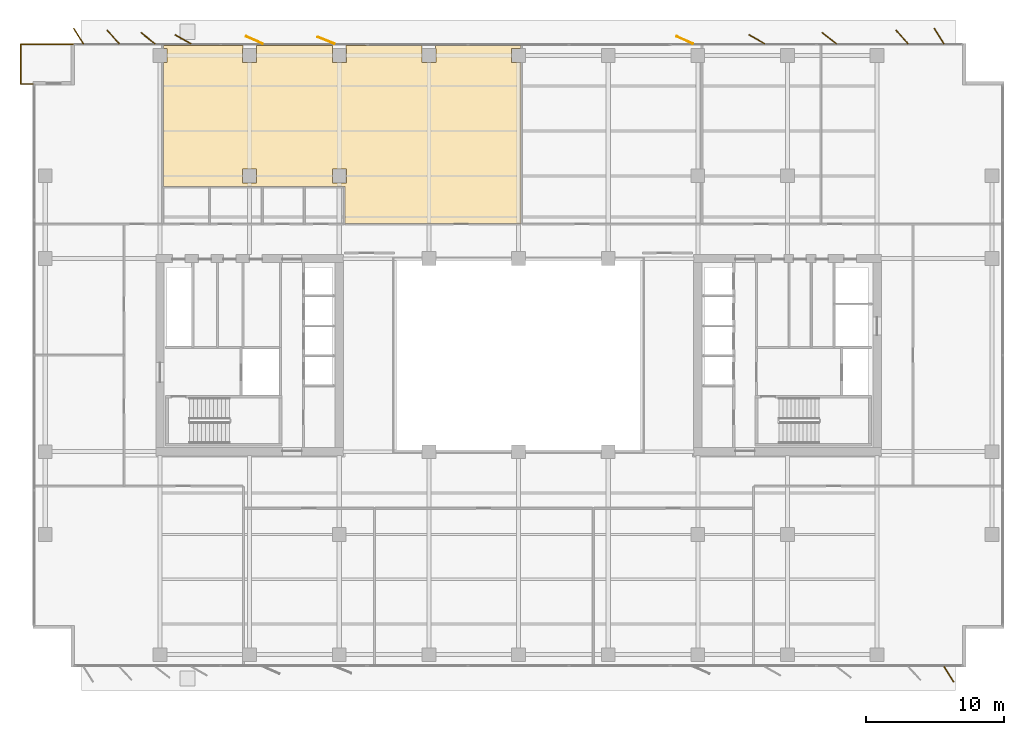
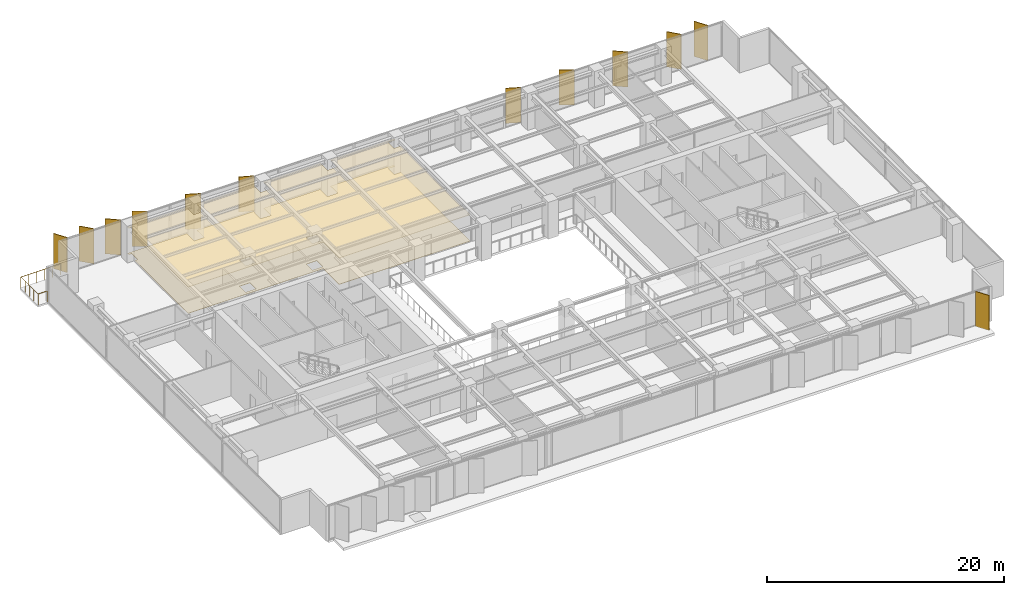
# One storey, part 22 of 22: 12 shading devices, 2 coverings, 1 railing.
"""IFC4 building model written with IfcOpenShell, lengths in metres."""

from ifc_helpers import new_model, si_unit, direction, frame, origin, origin_2d, place, context, subcontext, project, spatial, polyline, rectangle, circle, outline, extrude, material, layer, layer_set, type_object, element, save


model = new_model("IFC4")

# Units and contexts
model_context = context("Model", 3, precision=1e-05, world=origin(), true_north=direction((0.0, 1.0)))
body_context = subcontext(model_context, "Body", "Model", "MODEL_VIEW")
ifc_project = project(units=[si_unit("LENGTHUNIT", "METRE"), si_unit("AREAUNIT", "SQUARE_METRE"), si_unit("VOLUMEUNIT", "CUBIC_METRE"), si_unit("PLANEANGLEUNIT", "RADIAN"), si_unit("MASSUNIT", "GRAM", prefix="KILO")], contexts=[model_context])

# Site, building, storey
site_placement = place(None, origin())
site = spatial("IfcSite", under=ifc_project, at=site_placement, CompositionType="ELEMENT")
building_placement = place(site_placement, origin())
building = spatial("IfcBuilding", under=site, at=building_placement, Name="Putna Gate Headquarters", CompositionType="ELEMENT")
storey_placement = place(building_placement, frame((0.0, 0.0, 144.199951171875)))
storey = spatial("IfcBuildingStorey", under=building, at=storey_placement, Name="L35", CompositionType="ELEMENT", Elevation=144.199951171875)

# Coverings
ifc_material_1 = material(Name="Perforated mineral-fibre acoustic ceiling tile")
ifc_layer_1 = layer(ifc_material_1, 0.0400390625)
ifc_layer_set_1 = layer_set([ifc_layer_1], Name="Perforated mineral-fibre acoustic ceiling tile")
covering_type_1 = type_object("IfcCoveringType", Name="COV-ACOUSTIC-CEILING", PredefinedType="CEILING", material=ifc_layer_set_1)
covering_1_placement = place(storey_placement, frame((0.0, 0.0, 2.7099609375)))
element("IfcCovering", 1, at=covering_1_placement, inside=storey, type_object=covering_type_1, Name="L35 Acoustic Ceiling Covering 2", PredefinedType="CEILING", context=body_context, shape_type="SweptSolid", body=[
    extrude(outline(polyline([(13.239990234375, 48.22802734375), (13.508056640625, 48.22802734375), (13.508056640625, 47.2119140625), (13.239990234375, 47.2119140625), (13.239990234375, 38.219970703125), (26.39990234375, 38.219970703125), (26.39990234375, 35.5400390625), (39.159912109375, 35.5400390625), (39.159912109375, 47.2119140625), (38.491943359375, 47.2119140625), (38.491943359375, 48.22802734375), (39.159912109375, 48.22802734375), (39.159912109375, 48.43994140625), (32.988037109375, 48.43994140625), (32.988037109375, 48.22802734375), (33.008056640625, 48.22802734375), (33.008056640625, 47.2119140625), (31.991943359375, 47.2119140625), (31.991943359375, 48.22802734375), (32.011962890625, 48.22802734375), (32.011962890625, 48.43994140625), (26.488037109375, 48.43994140625), (26.488037109375, 48.22802734375), (26.508056640625, 48.22802734375), (26.508056640625, 47.2119140625), (25.491943359375, 47.2119140625), (25.491943359375, 48.22802734375), (25.511962890625, 48.22802734375), (25.511962890625, 48.43994140625), (19.988037109375, 48.43994140625), (19.988037109375, 48.22802734375), (20.008056640625, 48.22802734375), (20.008056640625, 47.2119140625), (18.991943359375, 47.2119140625), (18.991943359375, 48.22802734375), (19.011962890625, 48.22802734375), (19.011962890625, 48.43994140625), (13.239990234375, 48.43994140625), (13.239990234375, 48.22802734375)]), holes=[polyline([(20.008056640625, 38.491943359375), (20.008056640625, 39.508056640625), (18.991943359375, 39.508056640625), (18.991943359375, 38.491943359375), (20.008056640625, 38.491943359375)]), polyline([(26.508056640625, 38.491943359375), (26.508056640625, 39.508056640625), (25.491943359375, 39.508056640625), (25.491943359375, 38.491943359375), (26.508056640625, 38.491943359375)])]), origin(), (0.0, 0.0, 1.0), 0.0400390625),
])
ifc_material_2 = material(Name="Calcium-sulphate raised access floor finish")
ifc_layer_2 = layer(ifc_material_2, 0.030029296875)
ifc_layer_set_2 = layer_set([ifc_layer_2], Name="Calcium-sulphate raised access floor finish")
covering_type_2 = type_object("IfcCoveringType", Name="COV-RAISED-FLOORING", PredefinedType="FLOORING", material=ifc_layer_set_2)
covering_2_placement = place(storey_placement, origin())
element("IfcCovering", 2, at=covering_2_placement, inside=storey, type_object=covering_type_2, Name="L35 Raised Access Floor Covering 2", PredefinedType="FLOORING", context=body_context, shape_type="SweptSolid", body=[
    extrude(outline(polyline([(13.239990234375, 48.22802734375), (13.508056640625, 48.22802734375), (13.508056640625, 47.2119140625), (13.239990234375, 47.2119140625), (13.239990234375, 38.219970703125), (26.39990234375, 38.219970703125), (26.39990234375, 35.5400390625), (39.159912109375, 35.5400390625), (39.159912109375, 47.2119140625), (38.491943359375, 47.2119140625), (38.491943359375, 48.22802734375), (39.159912109375, 48.22802734375), (39.159912109375, 48.43994140625), (32.988037109375, 48.43994140625), (32.988037109375, 48.22802734375), (33.008056640625, 48.22802734375), (33.008056640625, 47.2119140625), (31.991943359375, 47.2119140625), (31.991943359375, 48.22802734375), (32.011962890625, 48.22802734375), (32.011962890625, 48.43994140625), (26.488037109375, 48.43994140625), (26.488037109375, 48.22802734375), (26.508056640625, 48.22802734375), (26.508056640625, 47.2119140625), (25.491943359375, 47.2119140625), (25.491943359375, 48.22802734375), (25.511962890625, 48.22802734375), (25.511962890625, 48.43994140625), (19.988037109375, 48.43994140625), (19.988037109375, 48.22802734375), (20.008056640625, 48.22802734375), (20.008056640625, 47.2119140625), (18.991943359375, 47.2119140625), (18.991943359375, 48.22802734375), (19.011962890625, 48.22802734375), (19.011962890625, 48.43994140625), (13.239990234375, 48.43994140625), (13.239990234375, 48.22802734375)]), holes=[polyline([(20.008056640625, 38.491943359375), (20.008056640625, 39.508056640625), (18.991943359375, 39.508056640625), (18.991943359375, 38.491943359375), (20.008056640625, 38.491943359375)]), polyline([(26.508056640625, 38.491943359375), (26.508056640625, 39.508056640625), (25.491943359375, 39.508056640625), (25.491943359375, 38.491943359375), (26.508056640625, 38.491943359375)])]), origin(), (0.0, 0.0, 1.0), 0.030029296875),
])

# Railing
ifc_material_3 = material(Name="Anodised bronze steel and laminated glass guardrail", Category="steel")
railing_type = type_object("IfcRailingType", Name="RAIL-TERR-GUARD-1150", PredefinedType="GUARDRAIL", material=ifc_material_3)
railing_placement = place(storey_placement, frame((3.800048828125, 45.659912109375, 0.0)))
element("IfcRailing", 3, at=railing_placement, inside=storey, type_object=railing_type, Name="L35 Spiral Sky Terrace Guardrail NW", PredefinedType="GUARDRAIL", context=body_context, shape_type="SweptSolid", body=[
    extrude(circle(Radius=0.02392578125, at=origin_2d()), frame((0.0, 0.0, 1.1259765625), z_axis=(-1.0, 0.0, 0.0), x_axis=(0.0, -1.0, 0.0)), (0.0, 0.0, 1.0), 0.89013671875),
    extrude(circle(Radius=0.02392578125, at=origin_2d()), frame((-0.89013671875, 0.0, 1.1259765625), z_axis=(0.0, 1.0, 0.0), x_axis=(-1.0, 0.0, 0.0)), (0.0, 0.0, 1.0), 2.880126953125),
    extrude(circle(Radius=0.02392578125, at=origin_2d()), frame((-0.89013671875, 2.880126953125, 1.1259765625), z_axis=(1.0, 0.0, 0.0), x_axis=(0.0, 1.0, 0.0)), (0.0, 0.0, 1.0), 3.89013671875),
    extrude(circle(Radius=0.02099609375, at=origin_2d()), origin(), (0.0, 0.0, 1.0), 1.101806640625),
    extrude(circle(Radius=0.02099609375, at=origin_2d()), frame((-0.89013671875, 0.0, 0.0)), (0.0, 0.0, 1.0), 1.101806640625),
    extrude(circle(Radius=0.02099609375, at=origin_2d()), frame((-0.89013671875, 0.719970703125, 0.0)), (0.0, 0.0, 1.0), 1.101806640625),
    extrude(circle(Radius=0.02099609375, at=origin_2d()), frame((-0.89013671875, 1.43994140625, 0.0)), (0.0, 0.0, 1.0), 1.101806640625),
    extrude(circle(Radius=0.02099609375, at=origin_2d()), frame((-0.89013671875, 2.16015625, 0.0)), (0.0, 0.0, 1.0), 1.101806640625),
    extrude(circle(Radius=0.02099609375, at=origin_2d()), frame((-0.89013671875, 2.880126953125, 0.0)), (0.0, 0.0, 1.0), 1.101806640625),
    extrude(circle(Radius=0.02099609375, at=origin_2d()), frame((-0.112060546875, 2.880126953125, 0.0)), (0.0, 0.0, 1.0), 1.101806640625),
    extrude(circle(Radius=0.02099609375, at=origin_2d()), frame((0.666015625, 2.880126953125, 0.0)), (0.0, 0.0, 1.0), 1.101806640625),
    extrude(circle(Radius=0.02099609375, at=origin_2d()), frame((1.44384765625, 2.880126953125, 0.0)), (0.0, 0.0, 1.0), 1.101806640625),
    extrude(circle(Radius=0.02099609375, at=origin_2d()), frame((2.221923828125, 2.880126953125, 0.0)), (0.0, 0.0, 1.0), 1.101806640625),
    extrude(circle(Radius=0.02099609375, at=origin_2d()), frame((3.0, 2.880126953125, 0.0)), (0.0, 0.0, 1.0), 1.101806640625),
])

# Shading devices
ifc_material_4 = material(Name="Anodised architectural bronze aluminium fin", Category="aluminium")
ifc_layer_3 = layer(ifc_material_4, 0.06494140625)
ifc_layer_set_3 = layer_set([ifc_layer_3], Name="Anodised architectural bronze aluminium fin")
shading_device_type = type_object("IfcShadingDeviceType", Name="SHADE-BRONZE-FIN-1320", PredefinedType="USERDEFINED", material=ifc_layer_set_3)
for number, where, z_axis, x_axis, name in (
    (4, (7.099853515625, 49.134521484375, -0.02001953125), (0.0, 0.0, 1.0), (-0.530659123936, 0.847585331506, 0.0), "L35 Bronze Vertical Shading Fin N1"),
    (5, (9.6083984375, 49.0654296875, -0.02001953125), (0.0, 0.0, 1.0), (-0.669130606359, 0.743144825477, 0.0), "L35 Bronze Vertical Shading Fin N2"),
    (6, (12.13037109375, 48.981689453125, -0.02001953125), (0.0, 0.0, 1.0), (-0.787473187632, 0.616348909921, 0.0), "L35 Bronze Vertical Shading Fin N3"),
    (7, (14.67626953125, 48.901123046875, -0.02001953125), (0.0, 0.0, 1.0), (-0.869322458298, 0.494245347472, 0.0), "L35 Bronze Vertical Shading Fin N4"),
    (8, (19.846923828125, 48.84326171875, -0.02001953125), (0.0, 0.0, 1.0), (-0.913687379856, 0.40641773078, 0.0), "L35 Bronze Vertical Shading Fin N5"),
    (9, (25.0380859375, 48.822265625, -0.02001953125), (0.0, 0.0, 1.0), (-0.927183854567, 0.374606593416, 0.0), "L35 Bronze Vertical Shading Fin N6"),
    (10, (51.047119140625, 48.84326171875, -0.02001953125), (0.0, 0.0, 1.0), (-0.913687379856, 0.40641773078, 0.0), "L35 Bronze Vertical Shading Fin N7"),
    (11, (56.276123046875, 48.901123046875, -0.02001953125), (0.0, 0.0, 1.0), (-0.869322458298, 0.494245347472, 0.0), "L35 Bronze Vertical Shading Fin N8"),
    (12, (61.5302734375, 48.981689453125, -0.02001953125), (0.0, 0.0, 1.0), (-0.787473187632, 0.616348909921, 0.0), "L35 Bronze Vertical Shading Fin N9"),
    (13, (66.808349609375, 49.0654296875, -0.02001953125), (0.0, 0.0, 1.0), (-0.669130606359, 0.743144825477, 0.0), "L35 Bronze Vertical Shading Fin N10"),
    (14, (70.2001953125, 2.865478515625, -0.02001953125), (0.0, 0.0, 1.0), (0.530659123936, -0.847585331506, 0.0), "L35 Bronze Vertical Shading Fin S11"),
    (15, (69.499755859375, 49.134521484375, -0.02001953125), (0.0, 0.0, 1.0), (-0.530659123936, 0.847585331506, 0.0), "L35 Bronze Vertical Shading Fin N11"),
):
    element("IfcShadingDevice", number, at=place(storey_placement, frame(where, z_axis=z_axis, x_axis=x_axis)), inside=storey, type_object=shading_device_type, Name=name, ObjectType="FIN", PredefinedType="USERDEFINED", context=body_context, shape_type="SweptSolid", body=[
        extrude(rectangle(XDim=1.320068359375, YDim=0.06494140625, at=origin_2d()), origin(), (0.0, 0.0, 1.0), 3.612060546875),
    ])

save(model, "model.ifc")
